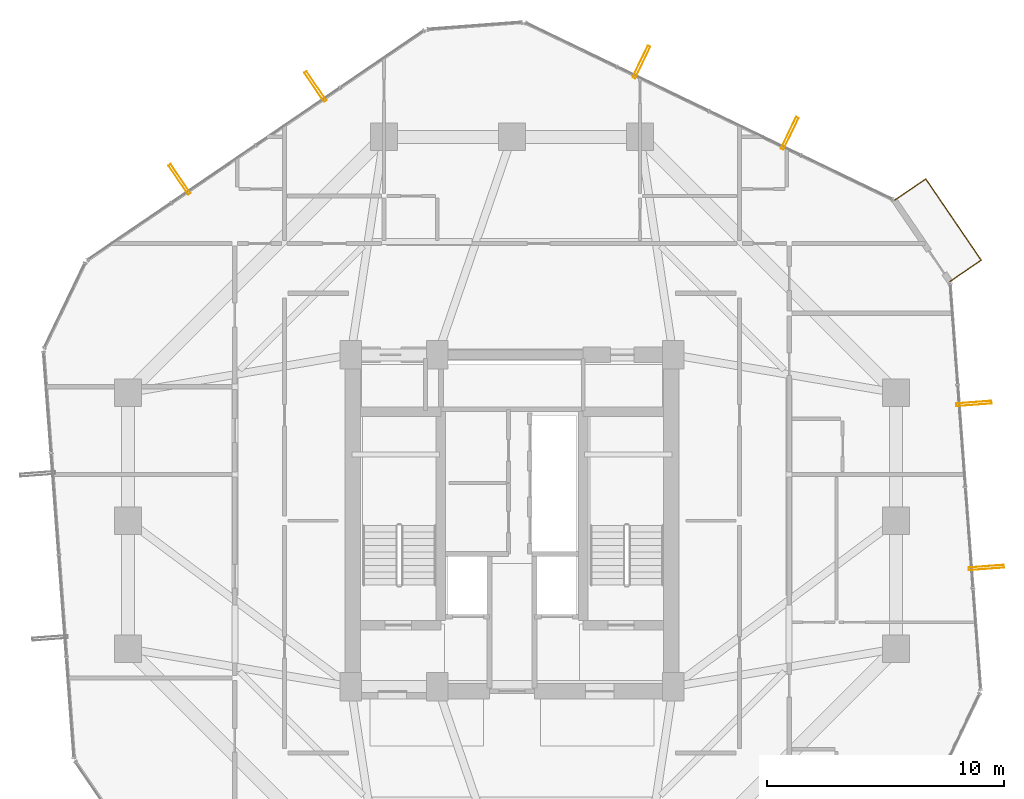
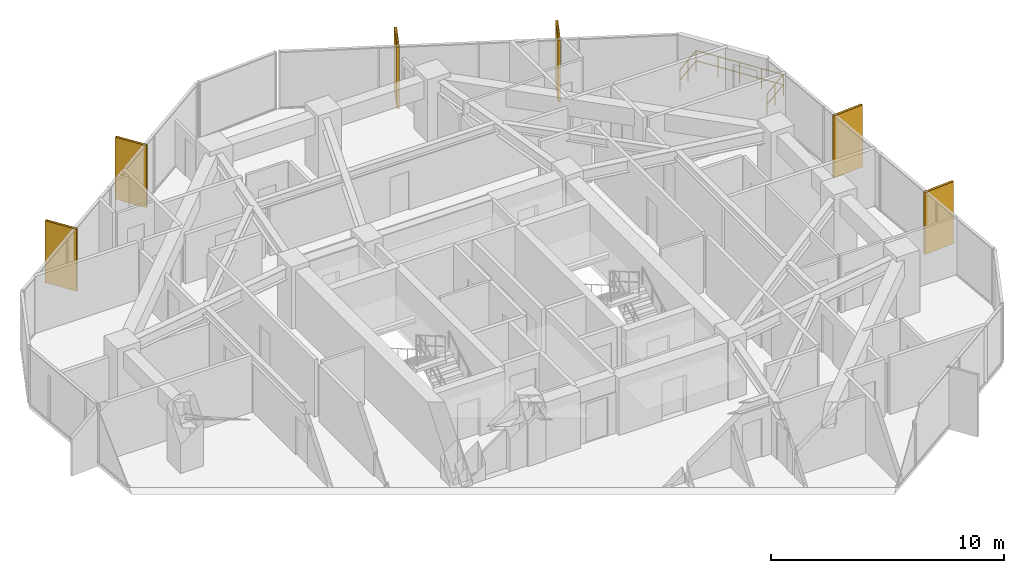
# One storey, part 35 of 35: 6 shading devices, 1 railing.
"""IFC4 building model written with IfcOpenShell, lengths in metres."""

from ifc_helpers import new_model, si_unit, direction, frame, origin, origin_2d, place, context, subcontext, project, spatial, hollow_rectangle, circle, extrude, material, material_profile, profile_set, type_object, element, save


model = new_model("IFC4")

# Units and contexts
model_context = context("Model", 3, precision=1e-05, world=origin(), true_north=direction((0.0, 1.0)))
body_context = subcontext(model_context, "Body", "Model", "MODEL_VIEW")
ifc_project = project(units=[si_unit("LENGTHUNIT", "METRE"), si_unit("AREAUNIT", "SQUARE_METRE"), si_unit("VOLUMEUNIT", "CUBIC_METRE"), si_unit("PLANEANGLEUNIT", "RADIAN"), si_unit("MASSUNIT", "GRAM", prefix="KILO")], contexts=[model_context])

# Site, building, storey
site_placement = place(None, origin())
site = spatial("IfcSite", under=ifc_project, at=site_placement, CompositionType="ELEMENT")
building_placement = place(site_placement, origin())
building = spatial("IfcBuilding", under=site, at=building_placement, Name="Veraguas Prism Commons", CompositionType="ELEMENT")
storey_placement = place(building_placement, frame((0.0, 0.0, 142.5)))
storey = spatial("IfcBuildingStorey", under=building, at=storey_placement, Name="L40", CompositionType="ELEMENT", Elevation=142.5)

# Shading devices
ifc_material_1 = material(Name="Anodised aluminium EN AW-6063 T6", Category="aluminium")
ifc_material_profile = material_profile(ifc_material_1, hollow_rectangle(XDim=0.1201171875, YDim=1.489990234375, WallThickness=0.006103515625, at=origin_2d()), Name="FIN120X1490X6")
ifc_profile_set = profile_set([ifc_material_profile], Name="Anodised aluminium EN AW-6063 T6")
shading_device_type = type_object("IfcShadingDeviceType", Name="Deep Pale-Metal Vertical Solar Fin 120x1490", PredefinedType="USERDEFINED", material=ifc_profile_set)
for number, where, z_axis, x_axis, name in (
    (1, (35.71728515625, 40.3427734375, -0.22998046875), (0.0, 0.0, 1.0), (-0.901077021322, 0.433659084588, 0.0), "Vertical Pale-Metal Solar Fin L40-F1A"),
    (2, (29.462158203125, 43.353271484375, -0.22998046875), (0.0, 0.0, 1.0), (-0.901077021322, 0.433659084588, 0.0), "Vertical Pale-Metal Solar Fin L40-F1B"),
    (3, (15.705322265625, 42.31884765625, -0.22998046875), (0.0, 0.0, 1.0), (-0.826099278033, -0.563524607123, 0.0), "Vertical Pale-Metal Solar Fin L40-F2A"),
    (4, (9.970703125, 38.406982421875, -0.22998046875), (0.0, 0.0, 1.0), (-0.826099278033, -0.563524607123, 0.0), "Vertical Pale-Metal Solar Fin L40-F2B"),
    (5, (44.011962890625, 22.02392578125, -0.22998046875), (0.0, 0.0, 1.0), (-0.074978726826, 0.997185133525, 0.0), "Vertical Pale-Metal Solar Fin L40-F6A"),
    (6, (43.491455078125, 28.9462890625, -0.22998046875), (0.0, 0.0, 1.0), (-0.074978726826, 0.997185133525, 0.0), "Vertical Pale-Metal Solar Fin L40-F6B"),
):
    element("IfcShadingDevice", number, at=place(storey_placement, frame(where, z_axis=z_axis, x_axis=x_axis)), inside=storey, type_object=shading_device_type, Name=name, ObjectType="FIN", PredefinedType="USERDEFINED", context=body_context, shape_type="SweptSolid", body=[
        extrude(hollow_rectangle(XDim=0.1201171875, YDim=1.489990234375, WallThickness=0.006103515625, at=origin_2d()), origin(), (0.0, 0.0, 1.0), 3.25),
    ])

# Railing
ifc_material_2 = material(Name="Stainless steel AISI 316", Category="steel")
railing_type = type_object("IfcRailingType", Name="Loggia and Sky Pool Glazed Balustrade 1120", PredefinedType="BALUSTRADE", material=ifc_material_2)
railing_placement = place(storey_placement, frame((42.477783203125, 34.091064453125, 0.0)))
element("IfcRailing", 7, at=railing_placement, inside=storey, type_object=railing_type, Name="Recessed Corner Loggia L40-C1 Guard", PredefinedType="BALUSTRADE", context=body_context, shape_type="SweptSolid", body=[
    extrude(circle(Radius=0.02392578125, at=origin_2d()), frame((0.0, 0.0, 1.09619140625), z_axis=(0.826159552422, 0.56343623769, 0.0), x_axis=(-0.56343623769, 0.826159552422, 0.0)), (0.0, 0.0, 1.0), 1.60009765625),
    extrude(circle(Radius=0.02392578125, at=origin_2d()), frame((0.0, 0.0, 0.56005859375), z_axis=(0.826159552422, 0.56343623769, 0.0), x_axis=(-0.56343623769, 0.826159552422, 0.0)), (0.0, 0.0, 1.0), 1.60009765625),
    extrude(circle(Radius=0.02392578125, at=origin_2d()), frame((1.322021484375, 0.901611328125, 1.09619140625), z_axis=(-0.563553863359, 0.826079320098, 0.0), x_axis=(-0.826079320098, -0.563553863359, 0.0)), (0.0, 0.0, 1.0), 4.1533203125),
    extrude(circle(Radius=0.02392578125, at=origin_2d()), frame((1.322021484375, 0.901611328125, 0.56005859375), z_axis=(-0.563553863359, 0.826079320098, 0.0), x_axis=(-0.826079320098, -0.563553863359, 0.0)), (0.0, 0.0, 1.0), 4.1533203125),
    extrude(circle(Radius=0.02392578125, at=origin_2d()), frame((-1.0185546875, 4.33251953125, 1.09619140625), z_axis=(-0.826111108741, -0.563507263498, 0.0), x_axis=(0.563507263498, -0.826111108741, 0.0)), (0.0, 0.0, 1.0), 1.60009765625),
    extrude(circle(Radius=0.02392578125, at=origin_2d()), frame((-1.0185546875, 4.33251953125, 0.56005859375), z_axis=(-0.826111108741, -0.563507263498, 0.0), x_axis=(0.563507263498, -0.826111108741, 0.0)), (0.0, 0.0, 1.0), 1.60009765625),
    extrude(circle(Radius=0.02099609375, at=origin_2d()), origin(), (0.0, 0.0, 1.0), 1.072021484375),
    extrude(circle(Radius=0.02099609375, at=origin_2d()), frame((0.6611328125, 0.45068359375, 0.0)), (0.0, 0.0, 1.0), 1.072021484375),
    extrude(circle(Radius=0.02099609375, at=origin_2d()), frame((1.322021484375, 0.901611328125, 0.0)), (0.0, 0.0, 1.0), 1.072021484375),
    extrude(circle(Radius=0.02099609375, at=origin_2d()), frame((0.73681640625, 1.75927734375, 0.0)), (0.0, 0.0, 1.0), 1.072021484375),
    extrude(circle(Radius=0.02099609375, at=origin_2d()), frame((0.15185546875, 2.6171875, 0.0)), (0.0, 0.0, 1.0), 1.072021484375),
    extrude(circle(Radius=0.02099609375, at=origin_2d()), frame((-0.433349609375, 3.474853515625, 0.0)), (0.0, 0.0, 1.0), 1.072021484375),
    extrude(circle(Radius=0.02099609375, at=origin_2d()), frame((-1.0185546875, 4.33251953125, 0.0)), (0.0, 0.0, 1.0), 1.072021484375),
    extrude(circle(Radius=0.02099609375, at=origin_2d()), frame((-1.679443359375, 3.8818359375, 0.0)), (0.0, 0.0, 1.0), 1.072021484375),
    extrude(circle(Radius=0.02099609375, at=origin_2d()), frame((-2.34033203125, 3.430908203125, 0.0)), (0.0, 0.0, 1.0), 1.072021484375),
])

save(model, "model.ifc")
